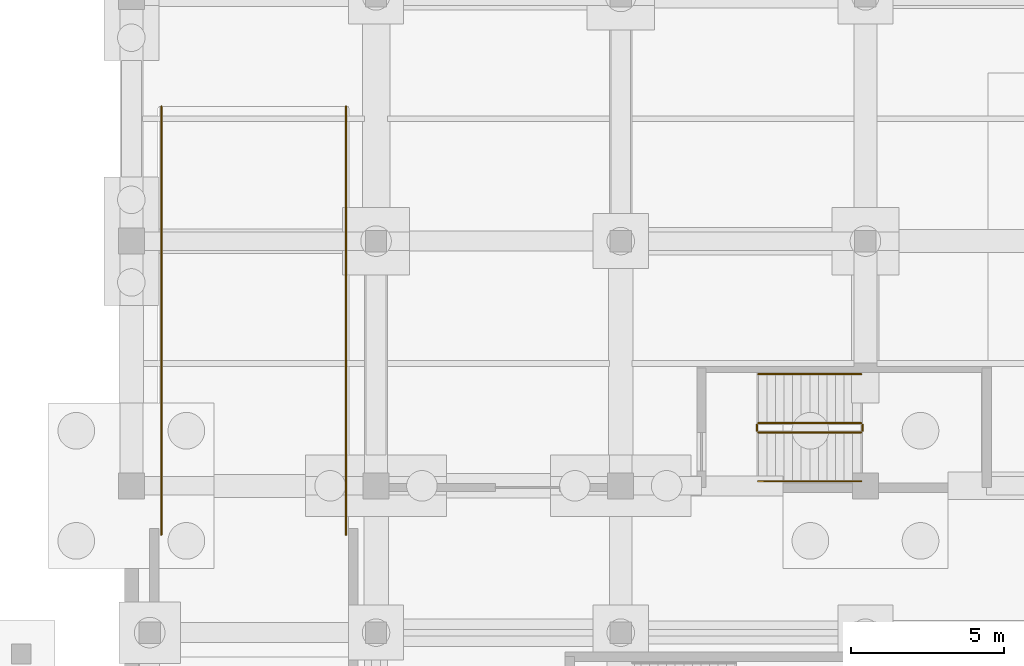
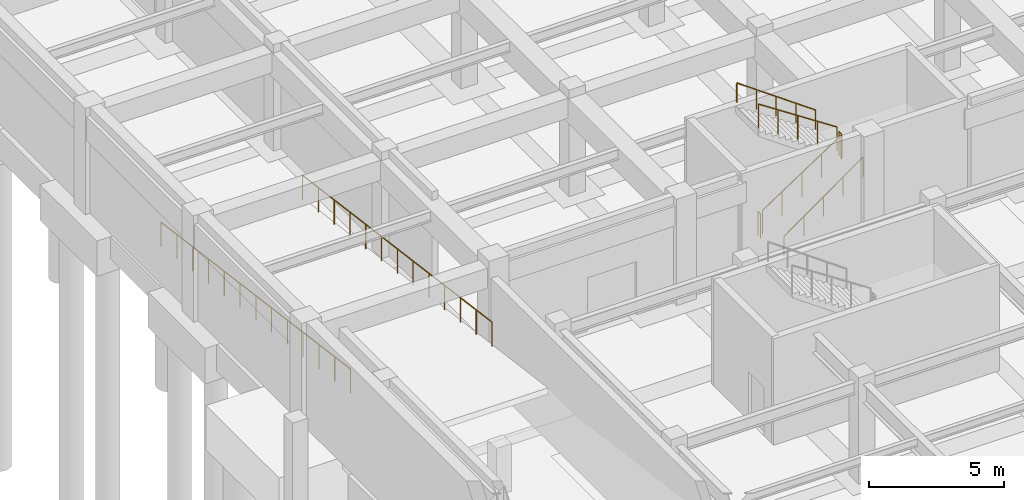
# One storey, part 44 of 48: 8 railings.
"""IFC4 building model written with IfcOpenShell, lengths in metres."""

from ifc_helpers import new_model, si_unit, direction, frame, origin, origin_2d, place, context, subcontext, project, spatial, circle, extrude, material, type_object, element, save


model = new_model("IFC4")

# Units and contexts
model_context = context("Model", 3, precision=1e-05, world=origin(), true_north=direction((0.0, 1.0)))
body_context = subcontext(model_context, "Body", "Model", "MODEL_VIEW")
ifc_project = project(units=[si_unit("LENGTHUNIT", "METRE"), si_unit("AREAUNIT", "SQUARE_METRE"), si_unit("VOLUMEUNIT", "CUBIC_METRE"), si_unit("PLANEANGLEUNIT", "RADIAN"), si_unit("MASSUNIT", "GRAM", prefix="KILO")], contexts=[model_context])

# Site, building, storey
site_placement = place(None, origin())
site = spatial("IfcSite", under=ifc_project, at=site_placement, CompositionType="ELEMENT")
building_placement = place(site_placement, origin())
building = spatial("IfcBuilding", under=site, at=building_placement, Name="Tlacozan Convention Centre", CompositionType="ELEMENT")
storey_placement = place(building_placement, frame((0.0, 0.0, -4.800048828125)))
storey = spatial("IfcBuildingStorey", under=building, at=storey_placement, Name="B01", CompositionType="ELEMENT", Elevation=-4.800048828125)

# Railings
ifc_material = material(Name="Architectural Painted Galvanised Steel Railing", Category="steel")
railing_type_1 = type_object("IfcRailingType", Name="Stair Wall Handrail 900", PredefinedType="HANDRAIL", material=ifc_material)
railing_1_placement = place(storey_placement, frame((20.5, 62.14990234375, 0.1845703125)))
element("IfcRailing", 1, at=railing_1_placement, inside=storey, type_object=railing_type_1, Name="B01 ST-10 stair handrail 1", PredefinedType="HANDRAIL", context=body_context, shape_type="SweptSolid", body=[
    extrude(circle(Radius=0.02392578125, at=origin_2d()), frame((0.0, 0.0, 0.8759765625), z_axis=(0.813725481382, 0.0, 0.581249379312), x_axis=(0.0, 1.0, 0.0)), (0.0, 0.0, 1.0), 4.12939453125),
    extrude(circle(Radius=0.02099609375, at=origin_2d()), origin(), (0.0, 0.0, 1.0), 0.851806640625),
    extrude(circle(Radius=0.02099609375, at=origin_2d()), frame((0.840087890625, 0.0, 0.60009765625)), (0.0, 0.0, 1.0), 0.851806640625),
    extrude(circle(Radius=0.02099609375, at=origin_2d()), frame((1.68017578125, 0.0, 1.2001953125)), (0.0, 0.0, 1.0), 0.851806640625),
    extrude(circle(Radius=0.02099609375, at=origin_2d()), frame((2.52001953125, 0.0, 1.800048828125)), (0.0, 0.0, 1.0), 0.851806640625),
    extrude(circle(Radius=0.02099609375, at=origin_2d()), frame((3.360107421875, 0.0, 2.400146484375)), (0.0, 0.0, 1.0), 0.851806640625),
])
railing_2_placement = place(storey_placement, frame((23.860107421875, 65.64990234375, 2.584716796875)))
element("IfcRailing", 2, at=railing_2_placement, inside=storey, type_object=railing_type_1, Name="B01 ST-10 stair handrail 2", PredefinedType="HANDRAIL", context=body_context, shape_type="SweptSolid", body=[
    extrude(circle(Radius=0.02392578125, at=origin_2d()), frame((0.0, 0.0, 0.8759765625), z_axis=(-0.813753445783, 0.0, 0.581210228297), x_axis=(0.0, -1.0, 0.0)), (0.0, 0.0, 1.0), 4.129150390625),
    extrude(circle(Radius=0.02099609375, at=origin_2d()), origin(), (0.0, 0.0, 1.0), 0.851806640625),
    extrude(circle(Radius=0.02099609375, at=origin_2d()), frame((-0.840087890625, 0.0, 0.60009765625)), (0.0, 0.0, 1.0), 0.851806640625),
    extrude(circle(Radius=0.02099609375, at=origin_2d()), frame((-1.68017578125, 0.0, 1.199951171875)), (0.0, 0.0, 1.0), 0.851806640625),
    extrude(circle(Radius=0.02099609375, at=origin_2d()), frame((-2.52001953125, 0.0, 1.7998046875)), (0.0, 0.0, 1.0), 0.851806640625),
    extrude(circle(Radius=0.02099609375, at=origin_2d()), frame((-3.360107421875, 0.0, 2.39990234375)), (0.0, 0.0, 1.0), 0.851806640625),
])
railing_type_2 = type_object("IfcRailingType", Name="Stair Well Guardrail 1100", PredefinedType="GUARDRAIL", material=ifc_material)
railing_3_placement = place(storey_placement, frame((20.5, 63.75, 0.1845703125)))
element("IfcRailing", 3, at=railing_3_placement, inside=storey, type_object=railing_type_2, Name="B01 ST-10 stair guard 1", PredefinedType="GUARDRAIL", context=body_context, shape_type="SweptSolid", body=[
    extrude(circle(Radius=0.02392578125, at=origin_2d()), frame((0.0, 0.0, 1.076171875), z_axis=(0.834848600103, 0.0, 0.550479622607), x_axis=(0.0, 1.0, 0.0)), (0.0, 0.0, 1.0), 4.02490234375),
    extrude(circle(Radius=0.02099609375, at=origin_2d()), origin(), (0.0, 0.0, 1.0), 1.052001953125),
    extrude(circle(Radius=0.02099609375, at=origin_2d()), frame((0.840087890625, 0.0, 0.553955078125)), (0.0, 0.0, 1.0), 1.052001953125),
    extrude(circle(Radius=0.02099609375, at=origin_2d()), frame((1.68017578125, 0.0, 1.10791015625)), (0.0, 0.0, 1.0), 1.052001953125),
    extrude(circle(Radius=0.02099609375, at=origin_2d()), frame((2.52001953125, 0.0, 1.66162109375)), (0.0, 0.0, 1.0), 1.052001953125),
    extrude(circle(Radius=0.02099609375, at=origin_2d()), frame((3.360107421875, 0.0, 2.215576171875)), (0.0, 0.0, 1.0), 1.052001953125),
])
railing_4_placement = place(storey_placement, frame((23.909912109375, 63.800048828125, 2.400146484375)))
element("IfcRailing", 4, at=railing_4_placement, inside=storey, type_object=railing_type_2, Name="B01 ST-10 stair guard 2", PredefinedType="GUARDRAIL", context=body_context, shape_type="SweptSolid", body=[
    extrude(circle(Radius=0.02392578125, at=origin_2d()), frame((0.0, 0.0, 1.076171875), z_axis=(0.0, 1.0, 0.0), x_axis=(-1.0, 0.0, 0.0)), (0.0, 0.0, 1.0), 0.199951171875),
    extrude(circle(Radius=0.02099609375, at=origin_2d()), origin(), (0.0, 0.0, 1.0), 1.052001953125),
    extrude(circle(Radius=0.02099609375, at=origin_2d()), frame((0.0, 0.199951171875, 0.0)), (0.0, 0.0, 1.0), 1.052001953125),
])
railing_5_placement = place(storey_placement, frame((23.860107421875, 64.050048828125, 2.584716796875)))
element("IfcRailing", 5, at=railing_5_placement, inside=storey, type_object=railing_type_2, Name="B01 ST-10 stair guard 3", PredefinedType="GUARDRAIL", context=body_context, shape_type="SweptSolid", body=[
    extrude(circle(Radius=0.02392578125, at=origin_2d()), frame((0.0, 0.0, 1.076171875), z_axis=(-0.834876476806, 0.0, 0.550437342915), x_axis=(0.0, -1.0, 0.0)), (0.0, 0.0, 1.0), 4.024658203125),
    extrude(circle(Radius=0.02099609375, at=origin_2d()), origin(), (0.0, 0.0, 1.0), 1.052001953125),
    extrude(circle(Radius=0.02099609375, at=origin_2d()), frame((-0.840087890625, 0.0, 0.5537109375)), (0.0, 0.0, 1.0), 1.052001953125),
    extrude(circle(Radius=0.02099609375, at=origin_2d()), frame((-1.68017578125, 0.0, 1.107666015625)), (0.0, 0.0, 1.0), 1.052001953125),
    extrude(circle(Radius=0.02099609375, at=origin_2d()), frame((-2.52001953125, 0.0, 1.66162109375)), (0.0, 0.0, 1.0), 1.052001953125),
    extrude(circle(Radius=0.02099609375, at=origin_2d()), frame((-3.360107421875, 0.0, 2.21533203125)), (0.0, 0.0, 1.0), 1.052001953125),
])
railing_6_placement = place(storey_placement, frame((20.449951171875, 63.800048828125, 0.0)))
element("IfcRailing", 6, at=railing_6_placement, inside=storey, type_object=railing_type_2, Name="B01 ST-10 stair guard 4", PredefinedType="GUARDRAIL", context=body_context, shape_type="SweptSolid", body=[
    extrude(circle(Radius=0.02392578125, at=origin_2d()), frame((0.0, 0.0, 1.076171875), z_axis=(0.0, 1.0, 0.0), x_axis=(-1.0, 0.0, 0.0)), (0.0, 0.0, 1.0), 0.199951171875),
    extrude(circle(Radius=0.02099609375, at=origin_2d()), origin(), (0.0, 0.0, 1.0), 1.052001953125),
    extrude(circle(Radius=0.02099609375, at=origin_2d()), frame((0.0, 0.199951171875, 0.0)), (0.0, 0.0, 1.0), 1.052001953125),
])
railing_7_placement = place(storey_placement, frame((0.97998046875, 74.39990234375, 0.0)))
element("IfcRailing", 7, at=railing_7_placement, inside=storey, type_object=railing_type_2, Name="Vehicle Ramp Guard 1.0", PredefinedType="GUARDRAIL", context=body_context, shape_type="SweptSolid", body=[
    extrude(circle(Radius=0.02392578125, at=origin_2d()), frame((0.0, 0.0, 1.09619140625), z_axis=(0.0, -0.991195867797, 0.132403744896), x_axis=(1.0, 0.0, 0.0)), (0.0, 0.0, 1.0), 14.124267578125),
    extrude(circle(Radius=0.02099609375, at=origin_2d()), origin(), (0.0, 0.0, 1.0), 1.072021484375),
    extrude(circle(Radius=0.02099609375, at=origin_2d()), frame((0.0, -1.166748046875, 0.15576171875)), (0.0, 0.0, 1.0), 1.072021484375),
    extrude(circle(Radius=0.02099609375, at=origin_2d()), frame((0.0, -2.333251953125, 0.311767578125)), (0.0, 0.0, 1.0), 1.072021484375),
    extrude(circle(Radius=0.02099609375, at=origin_2d()), frame((0.0, -3.5, 0.467529296875)), (0.0, 0.0, 1.0), 1.072021484375),
    extrude(circle(Radius=0.02099609375, at=origin_2d()), frame((0.0, -4.666748046875, 0.623291015625)), (0.0, 0.0, 1.0), 1.072021484375),
    extrude(circle(Radius=0.02099609375, at=origin_2d()), frame((0.0, -5.833251953125, 0.779296875)), (0.0, 0.0, 1.0), 1.072021484375),
    extrude(circle(Radius=0.02099609375, at=origin_2d()), frame((0.0, -7.0, 0.93505859375)), (0.0, 0.0, 1.0), 1.072021484375),
    extrude(circle(Radius=0.02099609375, at=origin_2d()), frame((0.0, -8.166748046875, 1.0908203125)), (0.0, 0.0, 1.0), 1.072021484375),
    extrude(circle(Radius=0.02099609375, at=origin_2d()), frame((0.0, -9.333251953125, 1.246826171875)), (0.0, 0.0, 1.0), 1.072021484375),
    extrude(circle(Radius=0.02099609375, at=origin_2d()), frame((0.0, -10.5, 1.402587890625)), (0.0, 0.0, 1.0), 1.072021484375),
    extrude(circle(Radius=0.02099609375, at=origin_2d()), frame((0.0, -11.666748046875, 1.558349609375)), (0.0, 0.0, 1.0), 1.072021484375),
    extrude(circle(Radius=0.02099609375, at=origin_2d()), frame((0.0, -12.833251953125, 1.71435546875)), (0.0, 0.0, 1.0), 1.072021484375),
    extrude(circle(Radius=0.02099609375, at=origin_2d()), frame((0.0, -14.0, 1.8701171875)), (0.0, 0.0, 1.0), 1.072021484375),
])
railing_8_placement = place(storey_placement, frame((7.02001953125, 74.39990234375, 0.0)))
element("IfcRailing", 8, at=railing_8_placement, inside=storey, type_object=railing_type_2, Name="Vehicle Ramp Guard 7.0", PredefinedType="GUARDRAIL", context=body_context, shape_type="SweptSolid", body=[
    extrude(circle(Radius=0.02392578125, at=origin_2d()), frame((0.0, 0.0, 1.09619140625), z_axis=(0.0, -0.991195867797, 0.132403744896), x_axis=(1.0, 0.0, 0.0)), (0.0, 0.0, 1.0), 14.124267578125),
    extrude(circle(Radius=0.02099609375, at=origin_2d()), origin(), (0.0, 0.0, 1.0), 1.072021484375),
    extrude(circle(Radius=0.02099609375, at=origin_2d()), frame((0.0, -1.166748046875, 0.15576171875)), (0.0, 0.0, 1.0), 1.072021484375),
    extrude(circle(Radius=0.02099609375, at=origin_2d()), frame((0.0, -2.333251953125, 0.311767578125)), (0.0, 0.0, 1.0), 1.072021484375),
    extrude(circle(Radius=0.02099609375, at=origin_2d()), frame((0.0, -3.5, 0.467529296875)), (0.0, 0.0, 1.0), 1.072021484375),
    extrude(circle(Radius=0.02099609375, at=origin_2d()), frame((0.0, -4.666748046875, 0.623291015625)), (0.0, 0.0, 1.0), 1.072021484375),
    extrude(circle(Radius=0.02099609375, at=origin_2d()), frame((0.0, -5.833251953125, 0.779296875)), (0.0, 0.0, 1.0), 1.072021484375),
    extrude(circle(Radius=0.02099609375, at=origin_2d()), frame((0.0, -7.0, 0.93505859375)), (0.0, 0.0, 1.0), 1.072021484375),
    extrude(circle(Radius=0.02099609375, at=origin_2d()), frame((0.0, -8.166748046875, 1.0908203125)), (0.0, 0.0, 1.0), 1.072021484375),
    extrude(circle(Radius=0.02099609375, at=origin_2d()), frame((0.0, -9.333251953125, 1.246826171875)), (0.0, 0.0, 1.0), 1.072021484375),
    extrude(circle(Radius=0.02099609375, at=origin_2d()), frame((0.0, -10.5, 1.402587890625)), (0.0, 0.0, 1.0), 1.072021484375),
    extrude(circle(Radius=0.02099609375, at=origin_2d()), frame((0.0, -11.666748046875, 1.558349609375)), (0.0, 0.0, 1.0), 1.072021484375),
    extrude(circle(Radius=0.02099609375, at=origin_2d()), frame((0.0, -12.833251953125, 1.71435546875)), (0.0, 0.0, 1.0), 1.072021484375),
    extrude(circle(Radius=0.02099609375, at=origin_2d()), frame((0.0, -14.0, 1.8701171875)), (0.0, 0.0, 1.0), 1.072021484375),
])

save(model, "model.ifc")
